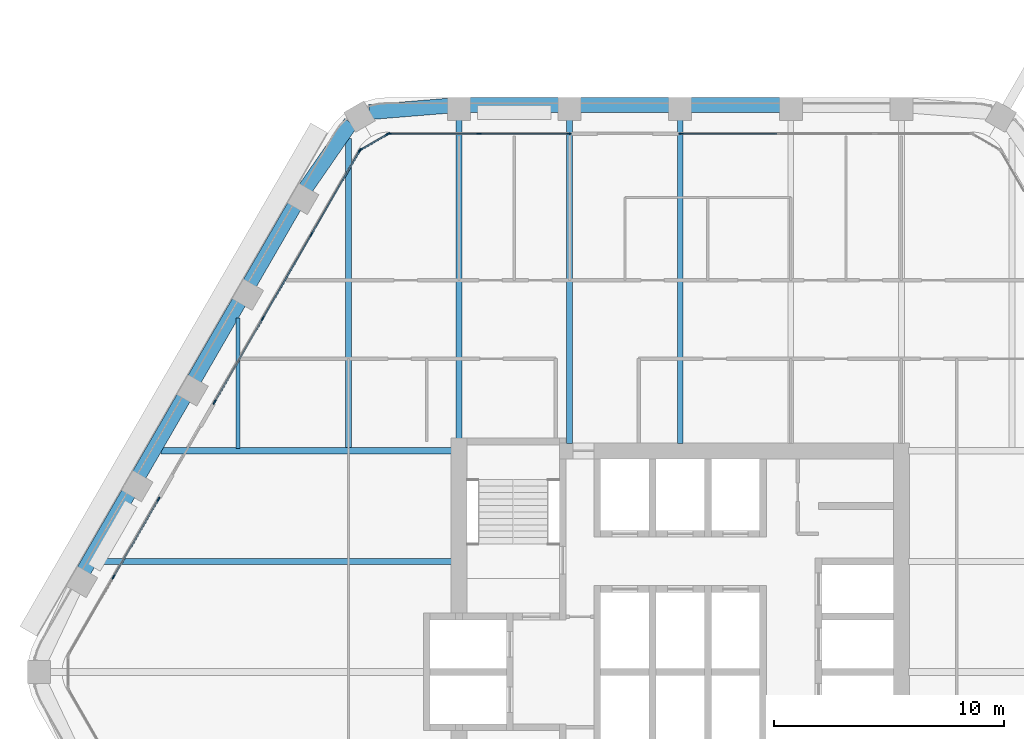
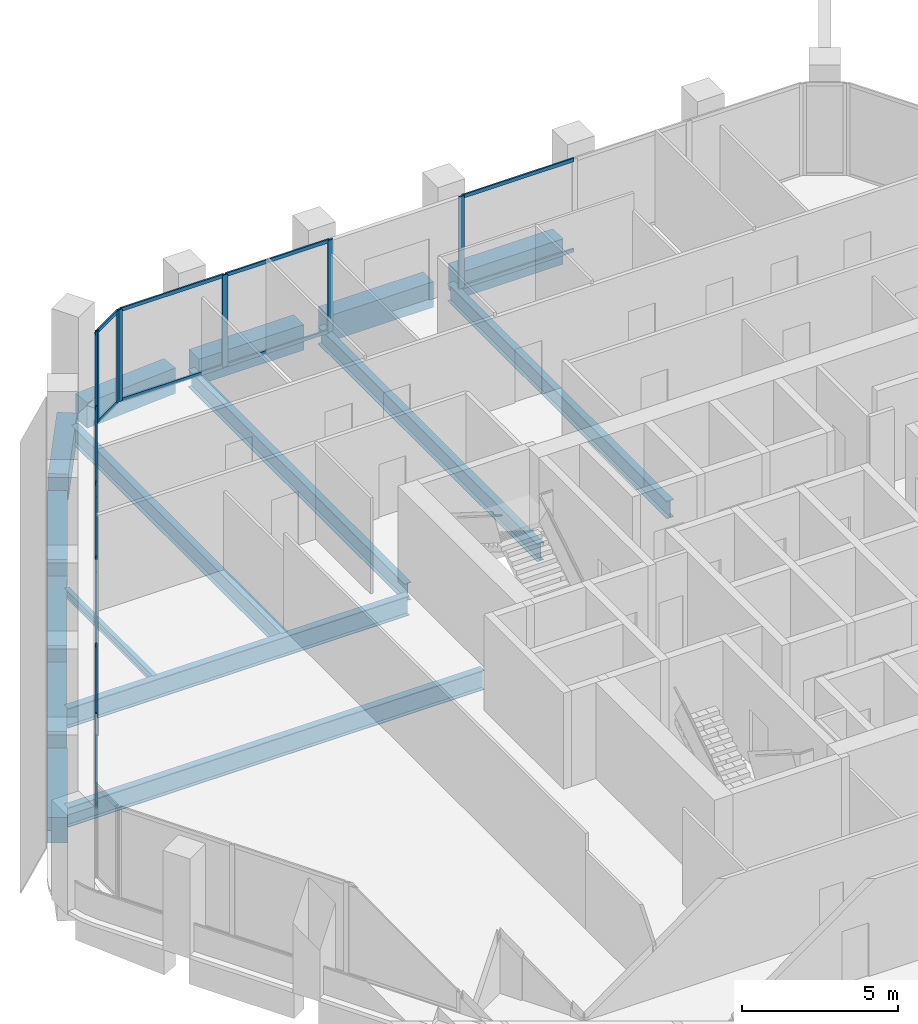
# One storey, part 6 of 16: 28 members, 16 beams, 5 elements without a shape of their own.
"""IFC4 building model written with IfcOpenShell, lengths in metres."""

from ifc_helpers import new_model, si_unit, direction, frame, origin, origin_2d, place, context, subcontext, project, spatial, rectangle, i_section, extrude, material, material_profile, profile_set, type_object, element, aggregate, save


model = new_model("IFC4")

# Units and contexts
model_context = context("Model", 3, precision=1e-05, world=origin(), true_north=direction((0.0, 1.0)))
body_context = subcontext(model_context, "Body", "Model", "MODEL_VIEW")
ifc_project = project(units=[si_unit("LENGTHUNIT", "METRE"), si_unit("AREAUNIT", "SQUARE_METRE"), si_unit("VOLUMEUNIT", "CUBIC_METRE"), si_unit("PLANEANGLEUNIT", "RADIAN"), si_unit("MASSUNIT", "GRAM", prefix="KILO")], contexts=[model_context])

# Site, building, storey
site_placement = place(None, origin())
site = spatial("IfcSite", under=ifc_project, at=site_placement, CompositionType="ELEMENT")
building_placement = place(site_placement, origin())
building = spatial("IfcBuilding", under=site, at=building_placement, Name="Kolab Exchange Tower", CompositionType="ELEMENT")
storey_placement = place(building_placement, frame((0.0, 0.0, 177.800048828125)))
storey = spatial("IfcBuildingStorey", under=building, at=storey_placement, Name="L37", CompositionType="ELEMENT", Elevation=177.800048828125)

# Beams
ifc_material_1 = material(Name="Steel S355", Category="steel")
ifc_material_profile_1 = material_profile(ifc_material_1, i_section(OverallWidth=0.1650390625, OverallDepth=0.31005859375, WebThickness=0.005859375, FlangeThickness=0.009765625, at=origin_2d()), Name="W310X39")
ifc_profile_set_1 = profile_set([ifc_material_profile_1], Name="Steel S355")
beam_type_1 = type_object("IfcBeamType", Name="FLOOR BEAM W310X39", PredefinedType="BEAM", material=ifc_profile_set_1)
beam_1_placement = place(storey_placement, frame((-19.199951171875, 9.693603515625, -0.304931640625), z_axis=(0.0, 1.0, 0.0), x_axis=(-1.0, 0.0, 0.0)))
element("IfcBeam", 1, at=beam_1_placement, inside=storey, type_object=beam_type_1, Name="beam/L37/fr/004", PredefinedType="BEAM", context=body_context, shape_type="SweptSolid", body=[
    extrude(i_section(OverallWidth=0.1650390625, OverallDepth=0.31005859375, WebThickness=0.005859375, FlangeThickness=0.009765625, at=origin_2d()), origin(), (0.0, 0.0, 1.0), 5.674072265625),
])
ifc_material_profile_2 = material_profile(ifc_material_1, i_section(OverallWidth=0.25390625, OverallDepth=0.68408203125, WebThickness=0.012451171875, FlangeThickness=0.018798828125, at=origin_2d()), Name="W690X140")
ifc_profile_set_2 = profile_set([ifc_material_profile_2], Name="Steel S355")
beam_type_2 = type_object("IfcBeamType", Name="FLOOR BEAM W690X140", PredefinedType="BEAM", material=ifc_profile_set_2)
beam_2_placement = place(storey_placement, frame((-14.39990234375, 9.693603515625, -0.491943359375), z_axis=(0.0, 1.0, 0.0), x_axis=(-1.0, 0.0, 0.0)))
element("IfcBeam", 2, at=beam_2_placement, inside=storey, type_object=beam_type_2, Name="beam/L37/fr/006", PredefinedType="BEAM", context=body_context, shape_type="SweptSolid", body=[
    extrude(i_section(OverallWidth=0.25390625, OverallDepth=0.68408203125, WebThickness=0.012451171875, FlangeThickness=0.018798828125, at=origin_2d()), origin(), (0.0, 0.0, 1.0), 13.462158203125),
])
beam_3_placement = place(storey_placement, frame((-9.60009765625, 10.110107421875, -0.491943359375), z_axis=(0.0, 1.0, 0.0), x_axis=(-1.0, 0.0, 0.0)))
element("IfcBeam", 3, at=beam_3_placement, inside=storey, type_object=beam_type_2, Name="beam/L37/fr/008", PredefinedType="BEAM", context=body_context, shape_type="SweptSolid", body=[
    extrude(i_section(OverallWidth=0.25390625, OverallDepth=0.68408203125, WebThickness=0.012451171875, FlangeThickness=0.018798828125, at=origin_2d()), origin(), (0.0, 0.0, 1.0), 13.871337890625),
])
for number, where, z_axis, x_axis, name in (
    (4, (-4.800048828125, 9.909912109375, -0.491943359375), (0.0, 1.0, 0.0), (-1.0, 0.0, 0.0), "beam/L37/fr/010"),
    (5, (0.0, 9.909912109375, -0.491943359375), (0.0, 1.0, 0.0), (-1.0, 0.0, 0.0), "beam/L37/fr/012"),
):
    element("IfcBeam", number, at=place(storey_placement, frame(where, z_axis=z_axis, x_axis=x_axis)), inside=storey, type_object=beam_type_2, Name=name, PredefinedType="BEAM", context=body_context, shape_type="SweptSolid", body=[
        extrude(i_section(OverallWidth=0.25390625, OverallDepth=0.68408203125, WebThickness=0.012451171875, FlangeThickness=0.018798828125, at=origin_2d()), origin(), (0.0, 0.0, 1.0), 14.071533203125),
    ])
ifc_material_profile_3 = material_profile(ifc_material_1, i_section(OverallWidth=0.26708984375, OverallDepth=0.761962890625, WebThickness=0.014404296875, FlangeThickness=0.021484375, at=origin_2d()), Name="W760X173")
ifc_profile_set_3 = profile_set([ifc_material_profile_3], Name="Steel S355")
beam_type_3 = type_object("IfcBeamType", Name="FLOOR BEAM W760X173", PredefinedType="BEAM", material=ifc_profile_set_3)
beam_4_placement = place(storey_placement, frame((-25.318115234375, 4.800048828125, -0.531005859375), z_axis=(1.0, 0.0, 0.0), x_axis=(0.0, 1.0, 0.0)))
element("IfcBeam", 6, at=beam_4_placement, inside=storey, type_object=beam_type_3, Name="beam/L37/fr/002", PredefinedType="BEAM", context=body_context, shape_type="SweptSolid", body=[
    extrude(i_section(OverallWidth=0.26708984375, OverallDepth=0.761962890625, WebThickness=0.014404296875, FlangeThickness=0.021484375, at=origin_2d()), origin(), (0.0, 0.0, 1.0), 15.408203125),
])
ifc_material_profile_4 = material_profile(ifc_material_1, i_section(OverallWidth=0.26708984375, OverallDepth=0.761962890625, WebThickness=0.014404296875, FlangeThickness=0.021484375, at=origin_2d()), Name="W760X173")
ifc_profile_set_4 = profile_set([ifc_material_profile_4], Name="Steel S355")
beam_type_4 = type_object("IfcBeamType", Name="FLOOR GIRDER W760X173", PredefinedType="BEAM", material=ifc_profile_set_4)
beam_5_placement = place(storey_placement, frame((-22.546875, 9.60009765625, -0.531005859375), z_axis=(1.0, 0.0, 0.0), x_axis=(0.0, 1.0, 0.0)))
element("IfcBeam", 7, at=beam_5_placement, inside=storey, type_object=beam_type_4, Name="beam/L37/gd/001", PredefinedType="BEAM", context=body_context, shape_type="SweptSolid", body=[
    extrude(i_section(OverallWidth=0.26708984375, OverallDepth=0.761962890625, WebThickness=0.014404296875, FlangeThickness=0.021484375, at=origin_2d()), origin(), (0.0, 0.0, 1.0), 12.636962890625),
])
ifc_material_2 = material(Name="Concrete C60/75", Category="concrete")
ifc_material_profile_5 = material_profile(ifc_material_2, rectangle(XDim=0.64990234375, YDim=1.0, at=origin_2d()), Name="RC650X1000")
ifc_profile_set_5 = profile_set([ifc_material_profile_5], Name="Concrete C60/75")
beam_type_5 = type_object("IfcBeamType", Name="SPANDREL BEAM 650X1000 C60/75", PredefinedType="BEAM", material=ifc_profile_set_5)
beam_6_placement = place(storey_placement, frame((-13.493896484375, 24.2998046875, -0.650146484375), z_axis=(0.996708497182, 0.081068931445, 0.0), x_axis=(-0.081068931445, 0.996708497182, 0.0)))
element("IfcBeam", 8, at=beam_6_placement, inside=storey, type_object=beam_type_5, Name="beam/L37/sp/F1-01", PredefinedType="BEAM", context=body_context, shape_type="SweptSolid", body=[
    extrude(rectangle(XDim=0.64990234375, YDim=1.0, at=origin_2d()), origin(), (0.0, 0.0, 1.0), 3.445068359375),
])
beam_7_placement = place(storey_placement, frame((-9.139892578125, 24.616455078125, -0.650146484375), z_axis=(1.0, 0.0, 0.0), x_axis=(0.0, 1.0, 0.0)))
element("IfcBeam", 9, at=beam_7_placement, inside=storey, type_object=beam_type_5, Name="beam/L37/sp/F1-02", PredefinedType="BEAM", context=body_context, shape_type="SweptSolid", body=[
    extrude(rectangle(XDim=0.64990234375, YDim=1.0, at=origin_2d()), origin(), (0.0, 0.0, 1.0), 3.8798828125),
])
for number, where, z_axis, x_axis, name in (
    (10, (-4.340087890625, 24.616455078125, -0.650146484375), (1.0, 0.0, 0.0), (0.0, 1.0, 0.0), "beam/L37/sp/F1-03"),
    (11, (0.4599609375, 24.616455078125, -0.650146484375), (1.0, 0.0, 0.0), (0.0, 1.0, 0.0), "beam/L37/sp/F1-04"),
):
    element("IfcBeam", number, at=place(storey_placement, frame(where, z_axis=z_axis, x_axis=x_axis)), inside=storey, type_object=beam_type_5, Name=name, PredefinedType="BEAM", context=body_context, shape_type="SweptSolid", body=[
        extrude(rectangle(XDim=0.64990234375, YDim=1.0, at=origin_2d()), origin(), (0.0, 0.0, 1.0), 3.880126953125),
    ])
for number, where, z_axis, x_axis, name in (
    (12, (-25.888427734375, 4.392822265625, -0.650146484375), (0.499996613652, 0.866027358884, 0.0), (-0.866027358884, 0.499996613652, 0.0), "beam/L37/sp/F6-02"),
    (13, (-23.488525390625, 8.5498046875, -0.650146484375), (0.499996613652, 0.866027358884, 0.0), (-0.866027358884, 0.499996613652, 0.0), "beam/L37/sp/F6-03"),
):
    element("IfcBeam", number, at=place(storey_placement, frame(where, z_axis=z_axis, x_axis=x_axis)), inside=storey, type_object=beam_type_5, Name=name, PredefinedType="BEAM", context=body_context, shape_type="SweptSolid", body=[
        extrude(rectangle(XDim=0.64990234375, YDim=1.0, at=origin_2d()), origin(), (0.0, 0.0, 1.0), 3.8798828125),
    ])
beam_8_placement = place(storey_placement, frame((-21.088623046875, 12.70654296875, -0.650146484375), z_axis=(0.50001655835, 0.866015843605, 0.0), x_axis=(-0.866015843605, 0.50001655835, 0.0)))
element("IfcBeam", 14, at=beam_8_placement, inside=storey, type_object=beam_type_5, Name="beam/L37/sp/F6-04", PredefinedType="BEAM", context=body_context, shape_type="SweptSolid", body=[
    extrude(rectangle(XDim=0.64990234375, YDim=1.0, at=origin_2d()), origin(), (0.0, 0.0, 1.0), 3.880126953125),
])
beam_9_placement = place(storey_placement, frame((-18.6884765625, 16.863525390625, -0.650146484375), z_axis=(0.499996613652, 0.866027358884, 0.0), x_axis=(-0.866027358884, 0.499996613652, 0.0)))
element("IfcBeam", 15, at=beam_9_placement, inside=storey, type_object=beam_type_5, Name="beam/L37/sp/F6-05", PredefinedType="BEAM", context=body_context, shape_type="SweptSolid", body=[
    extrude(rectangle(XDim=0.64990234375, YDim=1.0, at=origin_2d()), origin(), (0.0, 0.0, 1.0), 3.8798828125),
])
beam_10_placement = place(storey_placement, frame((-16.256103515625, 21.001953125, -0.650146484375), z_axis=(0.568572281073, 0.822633309073, 0.0), x_axis=(-0.822633309073, 0.568572281073, 0.0)))
element("IfcBeam", 16, at=beam_10_placement, inside=storey, type_object=beam_type_5, Name="beam/L37/sp/F6-06", PredefinedType="BEAM", context=body_context, shape_type="SweptSolid", body=[
    extrude(rectangle(XDim=0.64990234375, YDim=1.0, at=origin_2d()), origin(), (0.0, 0.0, 1.0), 3.445068359375),
])

# Curtain wall, members
ifc_material_3 = material(Name="Aluminium EN AW-6063 T6", Category="aluminium")
curtain_wall_type = type_object("IfcCurtainWallType", Name="UNITISED UPPER MID ZONE CURTAIN WALL", PredefinedType="NOTDEFINED", material=ifc_material_3)
curtain_wall_1_placement = place(storey_placement, origin())
curtain_wall_1 = element("IfcCurtainWall", 17, at=curtain_wall_1_placement, inside=storey, type_object=curtain_wall_type, Name="cw/L37/F1-1", PredefinedType="NOTDEFINED")
ifc_material_profile_6 = material_profile(ifc_material_3, rectangle(XDim=0.06005859375, YDim=0.199951171875, at=origin_2d()), Name="RECT 60X200")
ifc_profile_set_6 = profile_set([ifc_material_profile_6], Name="Aluminium EN AW-6063 T6")
member_type_1 = type_object("IfcMemberType", Name="UNITISED UPPER MID ZONE MULLION 60 X 200", PredefinedType="MULLION", material=ifc_profile_set_6)
member_1_placement = place(storey_placement, frame((-12.637939453125, 23.361572265625, 0.0), z_axis=(0.0, 0.0, 1.0), x_axis=(0.0, 1.0, 0.0)))
member_1 = element("IfcMember", 18, at=member_1_placement, type_object=member_type_1, Name="CW3 mullion 1", PredefinedType="MULLION", context=body_context, shape_type="SweptSolid", body=[
    extrude(rectangle(XDim=0.06005859375, YDim=0.199951171875, at=origin_2d()), origin(), (0.0, 0.0, 1.0), 3.599853515625),
])
member_2_placement = place(storey_placement, frame((-8.73388671875, 23.361572265625, 0.0), z_axis=(0.0, 0.0, 1.0), x_axis=(0.0, 1.0, 0.0)))
member_2 = element("IfcMember", 19, at=member_2_placement, type_object=member_type_1, Name="CW3 mullion 2", PredefinedType="MULLION", context=body_context, shape_type="SweptSolid", body=[
    extrude(rectangle(XDim=0.06005859375, YDim=0.199951171875, at=origin_2d()), origin(), (0.0, 0.0, 1.0), 3.599853515625),
])
member_3_placement = place(storey_placement, frame((-4.830078125, 23.361572265625, 0.0), z_axis=(0.0, 0.0, 1.0), x_axis=(0.0, 1.0, 0.0)))
member_3 = element("IfcMember", 20, at=member_3_placement, type_object=member_type_1, Name="CW3 mullion 3", PredefinedType="MULLION", context=body_context, shape_type="SweptSolid", body=[
    extrude(rectangle(XDim=0.06005859375, YDim=0.199951171875, at=origin_2d()), origin(), (0.0, 0.0, 1.0), 3.599853515625),
])

# Curtain wall, member
curtain_wall_2_placement = place(storey_placement, origin())
curtain_wall_2 = element("IfcCurtainWall", 21, at=curtain_wall_2_placement, inside=storey, type_object=curtain_wall_type, Name="cw/L37/F1-2", PredefinedType="NOTDEFINED")
member_4_placement = place(storey_placement, frame((0.030029296875, 23.361572265625, 0.0), z_axis=(0.0, 0.0, 1.0), x_axis=(0.0, 1.0, 0.0)))
member_4 = element("IfcMember", 22, at=member_4_placement, type_object=member_type_1, Name="CW3 mullion 1", PredefinedType="MULLION", context=body_context, shape_type="SweptSolid", body=[
    extrude(rectangle(XDim=0.06005859375, YDim=0.199951171875, at=origin_2d()), origin(), (0.0, 0.0, 1.0), 3.599853515625),
])

# Curtain wall, members
curtain_wall_3_placement = place(storey_placement, origin())
curtain_wall_3 = element("IfcCurtainWall", 23, at=curtain_wall_3_placement, inside=storey, type_object=curtain_wall_type, Name="cw/L37/F6-1", PredefinedType="NOTDEFINED")
member_5_placement = place(storey_placement, frame((-24.5986328125, 4.116943359375, 0.0), z_axis=(0.0, 0.0, 1.0), x_axis=(-0.866025440524, 0.499999936366, 0.0)))
member_5 = element("IfcMember", 24, at=member_5_placement, type_object=member_type_1, Name="CW3 mullion 2", PredefinedType="MULLION", context=body_context, shape_type="SweptSolid", body=[
    extrude(rectangle(XDim=0.06005859375, YDim=0.199951171875, at=origin_2d()), origin(), (0.0, 0.0, 1.0), 3.599853515625),
])
member_6_placement = place(storey_placement, frame((-22.646728515625, 7.497802734375, 0.0), z_axis=(0.0, 0.0, 1.0), x_axis=(-0.866025440524, 0.499999936366, 0.0)))
member_6 = element("IfcMember", 25, at=member_6_placement, type_object=member_type_1, Name="CW3 mullion 3", PredefinedType="MULLION", context=body_context, shape_type="SweptSolid", body=[
    extrude(rectangle(XDim=0.06005859375, YDim=0.199951171875, at=origin_2d()), origin(), (0.0, 0.0, 1.0), 3.599853515625),
])

curtain_wall_4_placement = place(storey_placement, origin())
curtain_wall_4 = element("IfcCurtainWall", 26, at=curtain_wall_4_placement, inside=storey, type_object=curtain_wall_type, Name="cw/L37/F6-2", PredefinedType="NOTDEFINED")
member_7_placement = place(storey_placement, frame((-20.216796875, 11.706787109375, 0.0), z_axis=(0.0, 0.0, 1.0), x_axis=(-0.866025393644, 0.500000017564, 0.0)))
member_7 = element("IfcMember", 27, at=member_7_placement, type_object=member_type_1, Name="CW3 mullion 1", PredefinedType="MULLION", context=body_context, shape_type="SweptSolid", body=[
    extrude(rectangle(XDim=0.06005859375, YDim=0.199951171875, at=origin_2d()), origin(), (0.0, 0.0, 1.0), 3.599853515625),
])
member_8_placement = place(storey_placement, frame((-18.120361328125, 15.337646484375, 0.0), z_axis=(0.0, 0.0, 1.0), x_axis=(-0.866025393644, 0.500000017564, 0.0)))
member_8 = element("IfcMember", 28, at=member_8_placement, type_object=member_type_1, Name="CW3 mullion 2", PredefinedType="MULLION", context=body_context, shape_type="SweptSolid", body=[
    extrude(rectangle(XDim=0.06005859375, YDim=0.199951171875, at=origin_2d()), origin(), (0.0, 0.0, 1.0), 3.599853515625),
])
member_9_placement = place(storey_placement, frame((-16.009033203125, 18.99462890625, 0.0), z_axis=(0.0, 0.0, 1.0), x_axis=(-0.866025393644, 0.500000017564, 0.0)))
member_9 = element("IfcMember", 29, at=member_9_placement, type_object=member_type_1, Name="CW3 mullion 3", PredefinedType="MULLION", context=body_context, shape_type="SweptSolid", body=[
    extrude(rectangle(XDim=0.06005859375, YDim=0.199951171875, at=origin_2d()), origin(), (0.0, 0.0, 1.0), 3.599853515625),
])
member_10_placement = place(storey_placement, frame((-13.91259765625, 22.62548828125, 0.0), z_axis=(0.0, 0.0, 1.0), x_axis=(-0.866025393644, 0.500000017564, 0.0)))
member_10 = element("IfcMember", 30, at=member_10_placement, type_object=member_type_1, Name="CW3 mullion 4", PredefinedType="MULLION", context=body_context, shape_type="SweptSolid", body=[
    extrude(rectangle(XDim=0.06005859375, YDim=0.199951171875, at=origin_2d()), origin(), (0.0, 0.0, 1.0), 3.599853515625),
])

curtain_wall_5_placement = place(storey_placement, origin())
curtain_wall_5 = element("IfcCurtainWall", 31, at=curtain_wall_5_placement, inside=storey, type_object=curtain_wall_type, Name="cw/L37/F6F1-corner", PredefinedType="NOTDEFINED")
member_11_placement = place(storey_placement, frame((-13.871826171875, 22.66650390625, 0.0), z_axis=(0.0, 0.0, 1.0), x_axis=(-0.50000002237, 0.866025390869, 0.0)))
member_11 = element("IfcMember", 32, at=member_11_placement, type_object=member_type_1, Name="CW3 mullion 1", PredefinedType="MULLION", context=body_context, shape_type="SweptSolid", body=[
    extrude(rectangle(XDim=0.06005859375, YDim=0.199951171875, at=origin_2d()), origin(), (0.0, 0.0, 1.0), 3.599853515625),
])
member_12_placement = place(storey_placement, frame((-12.69384765625, 23.346435546875, 0.0), z_axis=(0.0, 0.0, 1.0), x_axis=(-0.50000002237, 0.866025390869, 0.0)))
member_12 = element("IfcMember", 33, at=member_12_placement, type_object=member_type_1, Name="CW3 mullion 2", PredefinedType="MULLION", context=body_context, shape_type="SweptSolid", body=[
    extrude(rectangle(XDim=0.06005859375, YDim=0.199951171875, at=origin_2d()), origin(), (0.0, 0.0, 1.0), 3.599853515625),
])

# Member
ifc_material_profile_7 = material_profile(ifc_material_3, rectangle(XDim=0.06005859375, YDim=0.139892578125, at=origin_2d()), Name="RECT 60X140")
ifc_profile_set_7 = profile_set([ifc_material_profile_7], Name="Aluminium EN AW-6063 T6")
member_type_2 = type_object("IfcMemberType", Name="UNITISED UPPER MID ZONE TRANSOM 60 X 140", PredefinedType="USERDEFINED", material=ifc_profile_set_7)
member_13_placement = place(storey_placement, frame((-12.60791015625, 23.361572265625, 0.030029296875), z_axis=(1.0, 0.0, 0.0), x_axis=(0.0, 1.0, 0.0)))
member_13 = element("IfcMember", 34, at=member_13_placement, type_object=member_type_2, Name="CW3 transom 1.1", ObjectType="TRANSOM", PredefinedType="USERDEFINED", context=body_context, shape_type="SweptSolid", body=[
    extrude(rectangle(XDim=0.06005859375, YDim=0.139892578125, at=origin_2d()), origin(), (0.0, 0.0, 1.0), 3.843994140625),
])

member_14_placement = place(storey_placement, frame((-12.60791015625, 23.361572265625, 3.570068359375), z_axis=(1.0, 0.0, 0.0), x_axis=(0.0, 1.0, 0.0)))
member_14 = element("IfcMember", 35, at=member_14_placement, type_object=member_type_2, Name="CW3 transom 1.2", ObjectType="TRANSOM", PredefinedType="USERDEFINED", context=body_context, shape_type="SweptSolid", body=[
    extrude(rectangle(XDim=0.06005859375, YDim=0.139892578125, at=origin_2d()), origin(), (0.0, 0.0, 1.0), 3.843994140625),
])

member_15_placement = place(storey_placement, frame((-8.703857421875, 23.361572265625, 0.030029296875), z_axis=(1.0, 0.0, 0.0), x_axis=(0.0, 1.0, 0.0)))
member_15 = element("IfcMember", 36, at=member_15_placement, type_object=member_type_2, Name="CW3 transom 2.1", ObjectType="TRANSOM", PredefinedType="USERDEFINED", context=body_context, shape_type="SweptSolid", body=[
    extrude(rectangle(XDim=0.06005859375, YDim=0.139892578125, at=origin_2d()), origin(), (0.0, 0.0, 1.0), 3.84375),
])

member_16_placement = place(storey_placement, frame((-8.703857421875, 23.361572265625, 3.570068359375), z_axis=(1.0, 0.0, 0.0), x_axis=(0.0, 1.0, 0.0)))
member_16 = element("IfcMember", 37, at=member_16_placement, type_object=member_type_2, Name="CW3 transom 2.2", ObjectType="TRANSOM", PredefinedType="USERDEFINED", context=body_context, shape_type="SweptSolid", body=[
    extrude(rectangle(XDim=0.06005859375, YDim=0.139892578125, at=origin_2d()), origin(), (0.0, 0.0, 1.0), 3.84375),
])

aggregate(curtain_wall_1, [member_1, member_2, member_3, member_13, member_14, member_15, member_16])

member_17_placement = place(storey_placement, frame((0.06005859375, 23.361572265625, 0.030029296875), z_axis=(1.0, 0.0, 0.0), x_axis=(0.0, 1.0, 0.0)))
member_17 = element("IfcMember", 38, at=member_17_placement, type_object=member_type_2, Name="CW3 transom 1.1", ObjectType="TRANSOM", PredefinedType="USERDEFINED", context=body_context, shape_type="SweptSolid", body=[
    extrude(rectangle(XDim=0.06005859375, YDim=0.139892578125, at=origin_2d()), origin(), (0.0, 0.0, 1.0), 4.132568359375),
])

member_18_placement = place(storey_placement, frame((0.06005859375, 23.361572265625, 3.570068359375), z_axis=(1.0, 0.0, 0.0), x_axis=(0.0, 1.0, 0.0)))
member_18 = element("IfcMember", 39, at=member_18_placement, type_object=member_type_2, Name="CW3 transom 1.2", ObjectType="TRANSOM", PredefinedType="USERDEFINED", context=body_context, shape_type="SweptSolid", body=[
    extrude(rectangle(XDim=0.06005859375, YDim=0.139892578125, at=origin_2d()), origin(), (0.0, 0.0, 1.0), 4.132568359375),
])

aggregate(curtain_wall_2, [member_4, member_17, member_18])

member_19_placement = place(storey_placement, frame((-24.583740234375, 4.142822265625, 0.030029296875), z_axis=(0.500011990396, 0.866018481016, 0.0), x_axis=(-0.866018481016, 0.500011990396, 0.0)))
member_19 = element("IfcMember", 40, at=member_19_placement, type_object=member_type_2, Name="CW3 transom 2.1", ObjectType="TRANSOM", PredefinedType="USERDEFINED", context=body_context, shape_type="SweptSolid", body=[
    extrude(rectangle(XDim=0.06005859375, YDim=0.139892578125, at=origin_2d()), origin(), (0.0, 0.0, 1.0), 3.84423828125),
])

member_20_placement = place(storey_placement, frame((-24.583740234375, 4.142822265625, 3.570068359375), z_axis=(0.500011990396, 0.866018481016, 0.0), x_axis=(-0.866018481016, 0.500011990396, 0.0)))
member_20 = element("IfcMember", 41, at=member_20_placement, type_object=member_type_2, Name="CW3 transom 2.2", ObjectType="TRANSOM", PredefinedType="USERDEFINED", context=body_context, shape_type="SweptSolid", body=[
    extrude(rectangle(XDim=0.06005859375, YDim=0.139892578125, at=origin_2d()), origin(), (0.0, 0.0, 1.0), 3.84423828125),
])

aggregate(curtain_wall_3, [member_5, member_6, member_19, member_20])

member_21_placement = place(storey_placement, frame((-20.20166015625, 11.732666015625, 0.030029296875), z_axis=(0.500001996123, 0.866024251319, 0.0), x_axis=(-0.866024251319, 0.500001996123, 0.0)))
member_21 = element("IfcMember", 42, at=member_21_placement, type_object=member_type_2, Name="CW3 transom 1.1", ObjectType="TRANSOM", PredefinedType="USERDEFINED", context=body_context, shape_type="SweptSolid", body=[
    extrude(rectangle(XDim=0.06005859375, YDim=0.139892578125, at=origin_2d()), origin(), (0.0, 0.0, 1.0), 4.1328125),
])

member_22_placement = place(storey_placement, frame((-20.20166015625, 11.732666015625, 3.570068359375), z_axis=(0.500001996123, 0.866024251319, 0.0), x_axis=(-0.866024251319, 0.500001996123, 0.0)))
member_22 = element("IfcMember", 43, at=member_22_placement, type_object=member_type_2, Name="CW3 transom 1.2", ObjectType="TRANSOM", PredefinedType="USERDEFINED", context=body_context, shape_type="SweptSolid", body=[
    extrude(rectangle(XDim=0.06005859375, YDim=0.139892578125, at=origin_2d()), origin(), (0.0, 0.0, 1.0), 4.1328125),
])

member_23_placement = place(storey_placement, frame((-18.10546875, 15.36376953125, 0.030029296875), z_axis=(0.500037208726, 0.86600392025, 0.0), x_axis=(-0.86600392025, 0.500037208726, 0.0)))
member_23 = element("IfcMember", 44, at=member_23_placement, type_object=member_type_2, Name="CW3 transom 2.1", ObjectType="TRANSOM", PredefinedType="USERDEFINED", context=body_context, shape_type="SweptSolid", body=[
    extrude(rectangle(XDim=0.06005859375, YDim=0.139892578125, at=origin_2d()), origin(), (0.0, 0.0, 1.0), 4.162841796875),
])

member_24_placement = place(storey_placement, frame((-18.10546875, 15.36376953125, 3.570068359375), z_axis=(0.500037208726, 0.86600392025, 0.0), x_axis=(-0.86600392025, 0.500037208726, 0.0)))
member_24 = element("IfcMember", 45, at=member_24_placement, type_object=member_type_2, Name="CW3 transom 2.2", ObjectType="TRANSOM", PredefinedType="USERDEFINED", context=body_context, shape_type="SweptSolid", body=[
    extrude(rectangle(XDim=0.06005859375, YDim=0.139892578125, at=origin_2d()), origin(), (0.0, 0.0, 1.0), 4.162841796875),
])

member_25_placement = place(storey_placement, frame((-15.994140625, 19.0205078125, 0.030029296875), z_axis=(0.500001996123, 0.866024251319, 0.0), x_axis=(-0.866024251319, 0.500001996123, 0.0)))
member_25 = element("IfcMember", 46, at=member_25_placement, type_object=member_type_2, Name="CW3 transom 3.1", ObjectType="TRANSOM", PredefinedType="USERDEFINED", context=body_context, shape_type="SweptSolid", body=[
    extrude(rectangle(XDim=0.06005859375, YDim=0.139892578125, at=origin_2d()), origin(), (0.0, 0.0, 1.0), 4.1328125),
])

member_26_placement = place(storey_placement, frame((-15.994140625, 19.0205078125, 3.570068359375), z_axis=(0.500001996123, 0.866024251319, 0.0), x_axis=(-0.866024251319, 0.500001996123, 0.0)))
member_26 = element("IfcMember", 47, at=member_26_placement, type_object=member_type_2, Name="CW3 transom 3.2", ObjectType="TRANSOM", PredefinedType="USERDEFINED", context=body_context, shape_type="SweptSolid", body=[
    extrude(rectangle(XDim=0.06005859375, YDim=0.139892578125, at=origin_2d()), origin(), (0.0, 0.0, 1.0), 4.1328125),
])

aggregate(curtain_wall_4, [member_7, member_8, member_9, member_10, member_21, member_22, member_23, member_24, member_25, member_26])

member_27_placement = place(storey_placement, frame((-13.845703125, 22.681640625, 0.030029296875), z_axis=(0.86603858612, 0.49997716683, 0.0), x_axis=(-0.49997716683, 0.86603858612, 0.0)))
member_27 = element("IfcMember", 48, at=member_27_placement, type_object=member_type_2, Name="CW3 transom 1.1", ObjectType="TRANSOM", PredefinedType="USERDEFINED", context=body_context, shape_type="SweptSolid", body=[
    extrude(rectangle(XDim=0.06005859375, YDim=0.139892578125, at=origin_2d()), origin(), (0.0, 0.0, 1.0), 1.2998046875),
])

member_28_placement = place(storey_placement, frame((-13.845703125, 22.681640625, 3.570068359375), z_axis=(0.86603858612, 0.49997716683, 0.0), x_axis=(-0.49997716683, 0.86603858612, 0.0)))
member_28 = element("IfcMember", 49, at=member_28_placement, type_object=member_type_2, Name="CW3 transom 1.2", ObjectType="TRANSOM", PredefinedType="USERDEFINED", context=body_context, shape_type="SweptSolid", body=[
    extrude(rectangle(XDim=0.06005859375, YDim=0.139892578125, at=origin_2d()), origin(), (0.0, 0.0, 1.0), 1.2998046875),
])

aggregate(curtain_wall_5, [member_11, member_12, member_27, member_28])

save(model, "model.ifc")
